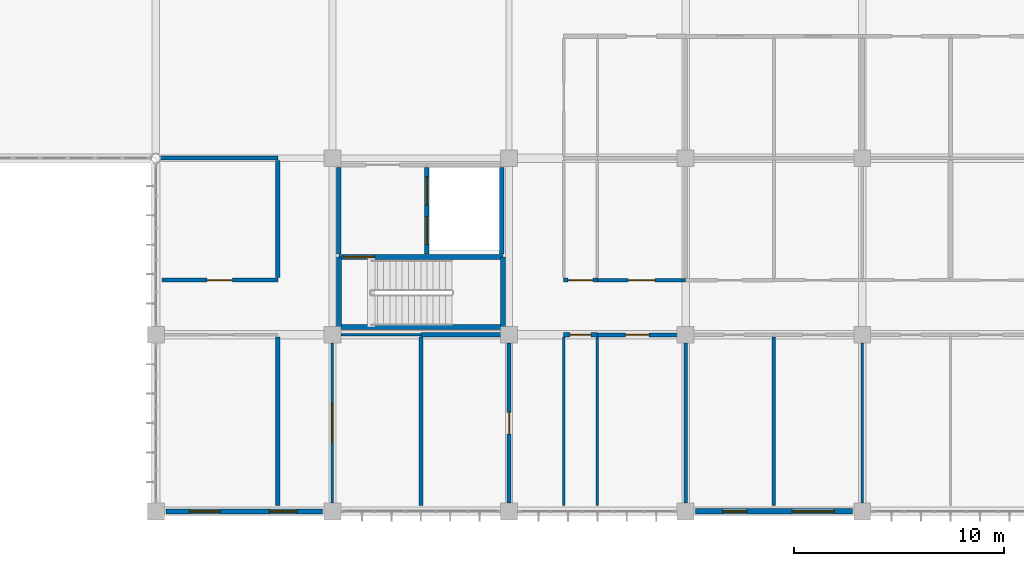
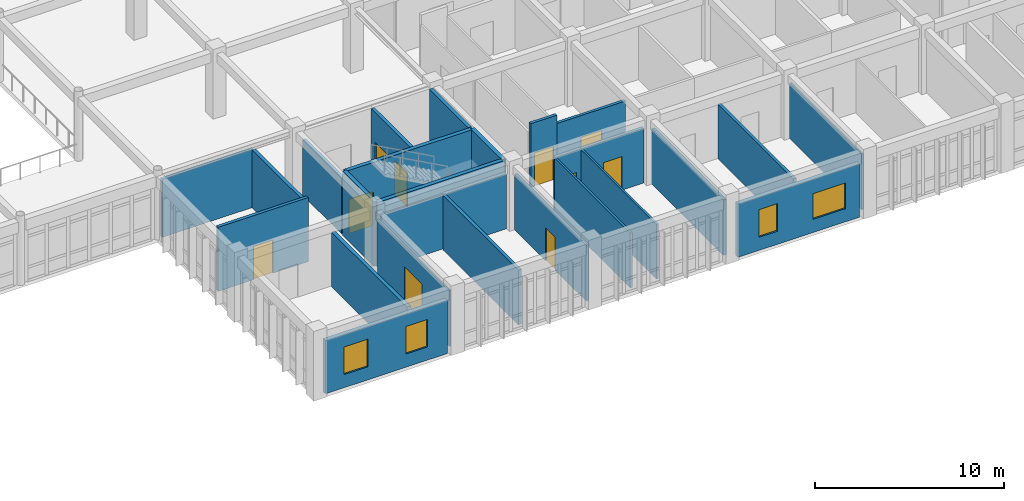
# One storey, part 103 of 144: 27 walls, 10 doors, 4 windows, 14 openings.
"""IFC4 building model written with IfcOpenShell, lengths in metres."""

from ifc_helpers import new_model, si_unit, direction, frame, frame_2d, origin, place, context, subcontext, project, spatial, rectangle, extrude, material, layer, layer_set, type_object, element, fill, save


model = new_model("IFC4")

# Units and contexts
model_context = context("Model", 3, precision=1e-05, world=origin(), true_north=direction((0.0, 1.0)))
body_context = subcontext(model_context, "Body", "Model", "MODEL_VIEW")
ifc_project = project(units=[si_unit("LENGTHUNIT", "METRE"), si_unit("AREAUNIT", "SQUARE_METRE"), si_unit("VOLUMEUNIT", "CUBIC_METRE"), si_unit("PLANEANGLEUNIT", "RADIAN"), si_unit("MASSUNIT", "GRAM", prefix="KILO")], contexts=[model_context])

# Site, building, storey
site_placement = place(None, origin())
site = spatial("IfcSite", under=ifc_project, at=site_placement, CompositionType="ELEMENT")
building_placement = place(site_placement, origin())
building = spatial("IfcBuilding", under=site, at=building_placement, Name="Bramfleet General Hospital", CompositionType="ELEMENT")
storey_placement = place(building_placement, frame((0.0, 0.0, 4.800048828125)))
storey = spatial("IfcBuildingStorey", under=building, at=storey_placement, Name="L01", CompositionType="ELEMENT", Elevation=4.800048828125)

# Wall, openings, windows
ifc_material_1 = material(Name="Precast concrete C40/50", Category="concrete")
ifc_layer_1 = layer(ifc_material_1, 0.264892578125, Name="WT-EW-07")
ifc_layer_set_1 = layer_set([ifc_layer_1], Name="Precast concrete C40/50")
wall_type_1 = type_object("IfcWallType", Name="WT-EW-07", PredefinedType="SOLIDWALL", material=ifc_layer_set_1)
wall_1_placement = place(storey_placement, frame((125.52490234375, 0.0, 0.0), z_axis=(0.0, 0.0, 1.0), x_axis=(-1.0, 0.0, 0.0)))
wall_1 = element("IfcWall", 1, at=wall_1_placement, inside=storey, type_object=wall_type_1, Name="L01 Exterior Wall 187", PredefinedType="SOLIDWALL", context=body_context, shape_type="SweptSolid", body=[
    extrude(rectangle(XDim=7.449951171875, YDim=0.264892578125, at=frame_2d((3.72509765625, 0.0))), origin(), (0.0, 0.0, 1.0), 3.43994140625),
])
opening_1_placement = place(wall_1_placement, frame((0.862548828125, 0.0, 0.85009765625)))
opening_1 = element("IfcOpeningElement", 2, at=opening_1_placement, cuts=wall_1, Name="Opening W-40", PredefinedType="OPENING", context=body_context, shape_type="SweptSolid", body=[
    extrude(rectangle(XDim=2.0, YDim=1.659912109375, at=frame_2d((1.0, 0.830078125))), frame((0.0, 0.142333984375, 0.0), z_axis=(0.0, -1.0, 0.0), x_axis=(1.0, 0.0, 0.0)), (0.0, 0.0, 1.0), 0.284912109375),
])
opening_2_placement = place(wall_1_placement, frame((5.012451171875, 0.0, 0.85009765625)))
opening_2 = element("IfcOpeningElement", 3, at=opening_2_placement, cuts=wall_1, Name="Opening W-41", PredefinedType="OPENING", context=body_context, shape_type="SweptSolid", body=[
    extrude(rectangle(XDim=1.14990234375, YDim=1.780029296875, at=frame_2d((0.574951171875, 0.89013671875))), frame((0.0, 0.142333984375, 0.0), z_axis=(0.0, -1.0, 0.0), x_axis=(1.0, 0.0, 0.0)), (0.0, 0.0, 1.0), 0.284912109375),
])
ifc_material_2 = material(Name="Anodised aluminium and low-E triple glazing", Category="aluminium")
window_type_1 = type_object("IfcWindowType", Name="WIN-W-40", PartitioningType="SINGLE_PANEL", PredefinedType="WINDOW", material=ifc_material_2)
window_1_placement = place(opening_1_placement, origin())
window_1 = element("IfcWindow", 4, at=window_1_placement, inside=storey, type_object=window_type_1, Name="L01 Facade Window WIN-L01-187-1", OverallHeight=1.659912109375, OverallWidth=2.0, PartitioningType="SINGLE_PANEL", PredefinedType="WINDOW", context=body_context, shape_type="SweptSolid", body=[
    extrude(rectangle(XDim=2.0, YDim=1.659912109375, at=frame_2d((1.0, 0.830078125))), frame((0.0, 0.030029296875, 0.0), z_axis=(0.0, -1.0, 0.0), x_axis=(1.0, 0.0, 0.0)), (0.0, 0.0, 1.0), 0.06005859375),
])
fill(opening_1, window_1)
window_type_2 = type_object("IfcWindowType", Name="WIN-W-41", PartitioningType="SINGLE_PANEL", PredefinedType="WINDOW", material=ifc_material_2)
window_2_placement = place(opening_2_placement, origin())
window_2 = element("IfcWindow", 5, at=window_2_placement, inside=storey, type_object=window_type_2, Name="L01 Facade Window WIN-L01-187-2", OverallHeight=1.780029296875, OverallWidth=1.14990234375, PartitioningType="SINGLE_PANEL", PredefinedType="WINDOW", context=body_context, shape_type="SweptSolid", body=[
    extrude(rectangle(XDim=1.14990234375, YDim=1.780029296875, at=frame_2d((0.574951171875, 0.89013671875))), frame((0.0, 0.030029296875, 0.0), z_axis=(0.0, -1.0, 0.0), x_axis=(1.0, 0.0, 0.0)), (0.0, 0.0, 1.0), 0.06005859375),
])
fill(opening_2, window_2)

ifc_layer_2 = layer(ifc_material_1, 0.25, Name="WT-EW-08")
ifc_layer_set_2 = layer_set([ifc_layer_2], Name="Precast concrete C40/50")
wall_type_2 = type_object("IfcWallType", Name="WT-EW-08", PredefinedType="SOLIDWALL", material=ifc_layer_set_2)
wall_2_placement = place(storey_placement, frame((100.324951171875, 0.0, 0.0), z_axis=(0.0, 0.0, 1.0), x_axis=(-1.0, 0.0, 0.0)))
wall_2 = element("IfcWall", 6, at=wall_2_placement, inside=storey, type_object=wall_type_2, Name="L01 Exterior Wall 188", PredefinedType="SOLIDWALL", context=body_context, shape_type="SweptSolid", body=[
    extrude(rectangle(XDim=7.449951171875, YDim=0.25, at=frame_2d((3.72509765625, 0.0))), origin(), (0.0, 0.0, 1.0), 3.43994140625),
])
opening_3_placement = place(wall_2_placement, frame((1.21240234375, 0.0, 0.85009765625)))
opening_3 = element("IfcOpeningElement", 7, at=opening_3_placement, cuts=wall_2, Name="Opening W-42", PredefinedType="OPENING", context=body_context, shape_type="SweptSolid", body=[
    extrude(rectangle(XDim=1.300048828125, YDim=1.780029296875, at=frame_2d((0.64990234375, 0.89013671875))), frame((0.0, 0.135009765625, 0.0), z_axis=(0.0, -1.0, 0.0), x_axis=(1.0, 0.0, 0.0)), (0.0, 0.0, 1.0), 0.27001953125),
])
opening_4_placement = place(wall_2_placement, frame((4.862548828125, 0.0, 0.85009765625)))
opening_4 = element("IfcOpeningElement", 8, at=opening_4_placement, cuts=wall_2, Name="Opening W-43", PredefinedType="OPENING", context=body_context, shape_type="SweptSolid", body=[
    extrude(rectangle(XDim=1.449951171875, YDim=1.780029296875, at=frame_2d((0.72509765625, 0.89013671875))), frame((0.0, 0.135009765625, 0.0), z_axis=(0.0, -1.0, 0.0), x_axis=(1.0, 0.0, 0.0)), (0.0, 0.0, 1.0), 0.27001953125),
])
window_type_3 = type_object("IfcWindowType", Name="WIN-W-42", PartitioningType="SINGLE_PANEL", PredefinedType="WINDOW", material=ifc_material_2)
window_3_placement = place(opening_3_placement, origin())
window_3 = element("IfcWindow", 9, at=window_3_placement, inside=storey, type_object=window_type_3, Name="L01 Facade Window WIN-L01-188-1", OverallHeight=1.780029296875, OverallWidth=1.300048828125, PartitioningType="SINGLE_PANEL", PredefinedType="WINDOW", context=body_context, shape_type="SweptSolid", body=[
    extrude(rectangle(XDim=1.300048828125, YDim=1.780029296875, at=frame_2d((0.64990234375, 0.89013671875))), frame((0.0, 0.030029296875, 0.0), z_axis=(0.0, -1.0, 0.0), x_axis=(1.0, 0.0, 0.0)), (0.0, 0.0, 1.0), 0.06005859375),
])
fill(opening_3, window_3)
window_type_4 = type_object("IfcWindowType", Name="WIN-W-43", PartitioningType="SINGLE_PANEL", PredefinedType="WINDOW", material=ifc_material_2)
window_4_placement = place(opening_4_placement, origin())
window_4 = element("IfcWindow", 10, at=window_4_placement, inside=storey, type_object=window_type_4, Name="L01 Facade Window WIN-L01-188-2", OverallHeight=1.780029296875, OverallWidth=1.449951171875, PartitioningType="SINGLE_PANEL", PredefinedType="WINDOW", context=body_context, shape_type="SweptSolid", body=[
    extrude(rectangle(XDim=1.449951171875, YDim=1.780029296875, at=frame_2d((0.72509765625, 0.89013671875))), frame((0.0, 0.030029296875, 0.0), z_axis=(0.0, -1.0, 0.0), x_axis=(1.0, 0.0, 0.0)), (0.0, 0.0, 1.0), 0.06005859375),
])
fill(opening_4, window_4)

# Walls
ifc_material_3 = material(Name="Concrete C35/45", Category="concrete")
ifc_layer_3 = layer(ifc_material_3, 0.219970703125, Name="WT-IW-01")
ifc_layer_set_3 = layer_set([ifc_layer_3], Name="Concrete C35/45")
wall_type_3 = type_object("IfcWallType", Name="WT-IW-01", PredefinedType="PARTITIONING", material=ifc_layer_set_3)
wall_3_placement = place(storey_placement, frame((105.0, 8.39990234375, 0.0), z_axis=(0.0, 0.0, 1.0), x_axis=(1.0, 0.0, 0.0)))
element("IfcWall", 11, at=wall_3_placement, inside=storey, type_object=wall_type_3, Name="L01 Interior Partition IW-L01-1213", PredefinedType="PARTITIONING", context=body_context, shape_type="SweptSolid", body=[
    extrude(rectangle(XDim=3.804931640625, YDim=0.219970703125, at=frame_2d((1.90234375, 0.0))), origin(), (0.0, 0.0, 1.0), 3.5400390625),
])
wall_4_placement = place(storey_placement, frame((98.199951171875, 0.280029296875, 0.0), z_axis=(0.0, 0.0, 1.0), x_axis=(0.0, 1.0, 0.0)))
element("IfcWall", 12, at=wall_4_placement, inside=storey, type_object=wall_type_3, Name="L01 Interior Partition IW-L01-1801", PredefinedType="PARTITIONING", context=body_context, shape_type="SweptSolid", body=[
    extrude(rectangle(XDim=8.0048828125, YDim=0.219970703125, at=frame_2d((4.00244140625, 0.0))), origin(), (0.0, 0.0, 1.0), 3.5400390625),
])

# Wall, openings, doors
ifc_layer_4 = layer(ifc_material_3, 0.205078125, Name="WT-IW-02")
ifc_layer_set_4 = layer_set([ifc_layer_4], Name="Concrete C35/45")
wall_type_4 = type_object("IfcWallType", Name="WT-IW-02", PredefinedType="PARTITIONING", material=ifc_layer_set_4)
wall_5_placement = place(storey_placement, frame((105.280029296875, 12.239990234375, 0.0), z_axis=(0.0, 0.0, 1.0), x_axis=(0.0, 1.0, 0.0)))
wall_5 = element("IfcWall", 13, at=wall_5_placement, inside=storey, type_object=wall_type_4, Name="L01 C3 Lobby East Shaft Wall", PredefinedType="PARTITIONING", context=body_context, shape_type="SweptSolid", body=[
    extrude(rectangle(XDim=4.1201171875, YDim=0.205078125, at=frame_2d((2.06005859375, 0.0))), origin(), (0.0, 0.0, 1.0), 4.139892578125),
])
opening_5_placement = place(wall_5_placement, frame((0.445068359375, 0.0, 0.0)))
opening_5 = element("IfcOpeningElement", 14, at=opening_5_placement, cuts=wall_5, Name="Opening LD-FL-01-L01", PredefinedType="OPENING", context=body_context, shape_type="SweptSolid", body=[
    extrude(rectangle(XDim=1.35009765625, YDim=2.199951171875, at=frame_2d((0.675048828125, 1.10009765625))), frame((0.0, 0.112548828125, 0.0), z_axis=(0.0, -1.0, 0.0), x_axis=(1.0, 0.0, 0.0)), (0.0, 0.0, 1.0), 0.22509765625),
])
opening_6_placement = place(wall_5_placement, frame((2.324951171875, 0.0, 0.0)))
opening_6 = element("IfcOpeningElement", 15, at=opening_6_placement, cuts=wall_5, Name="Opening LD-BL-03-L01", PredefinedType="OPENING", context=body_context, shape_type="SweptSolid", body=[
    extrude(rectangle(XDim=1.35009765625, YDim=2.199951171875, at=frame_2d((0.675048828125, 1.10009765625))), frame((0.0, 0.112548828125, 0.0), z_axis=(0.0, -1.0, 0.0), x_axis=(1.0, 0.0, 0.0)), (0.0, 0.0, 1.0), 0.22509765625),
])
ifc_material_4 = material(Name="Brushed stainless steel 1.4301", Category="steel")
door_type_1 = type_object("IfcDoorType", Name="DR-LD-01", OperationType="NOTDEFINED", PredefinedType="DOOR", material=ifc_material_4)
door_1_placement = place(opening_5_placement, origin())
door_1 = element("IfcDoor", 16, at=door_1_placement, inside=storey, type_object=door_type_1, Name="L01 Lift FL-01 Sliding Landing Door", OperationType="SLIDING_TO_LEFT", OverallHeight=2.199951171875, OverallWidth=1.35009765625, PredefinedType="DOOR", context=body_context, shape_type="SweptSolid", body=[
    extrude(rectangle(XDim=1.35009765625, YDim=2.199951171875, at=frame_2d((0.675048828125, 1.10009765625))), frame((0.0, 0.02490234375, 0.0), z_axis=(0.0, -1.0, 0.0), x_axis=(1.0, 0.0, 0.0)), (0.0, 0.0, 1.0), 0.050048828125),
])
fill(opening_5, door_1)
door_2_placement = place(opening_6_placement, origin())
door_2 = element("IfcDoor", 17, at=door_2_placement, inside=storey, type_object=door_type_1, Name="L01 Lift BL-03 Sliding Landing Door", OperationType="SLIDING_TO_LEFT", OverallHeight=2.199951171875, OverallWidth=1.35009765625, PredefinedType="DOOR", context=body_context, shape_type="SweptSolid", body=[
    extrude(rectangle(XDim=1.35009765625, YDim=2.199951171875, at=frame_2d((0.675048828125, 1.10009765625))), frame((0.0, 0.02490234375, 0.0), z_axis=(0.0, -1.0, 0.0), x_axis=(1.0, 0.0, 0.0)), (0.0, 0.0, 1.0), 0.050048828125),
])
fill(opening_6, door_2)

# Walls
wall_6_placement = place(storey_placement, frame((108.85009765625, 12.239990234375, 0.0), z_axis=(0.0, 0.0, 1.0), x_axis=(0.0, 1.0, 0.0)))
element("IfcWall", 18, at=wall_6_placement, inside=storey, type_object=wall_type_4, Name="L01 C3 Lift Shaft East Wall", PredefinedType="PARTITIONING", context=body_context, shape_type="SweptSolid", body=[
    extrude(rectangle(XDim=4.1201171875, YDim=0.205078125, at=frame_2d((2.06005859375, 0.0))), origin(), (0.0, 0.0, 1.0), 4.139892578125),
])
wall_7_placement = place(storey_placement, frame((101.10009765625, 12.239990234375, 0.0), z_axis=(0.0, 0.0, 1.0), x_axis=(0.0, 1.0, 0.0)))
element("IfcWall", 19, at=wall_7_placement, inside=storey, type_object=wall_type_4, Name="L01 C3 Lobby West Compartment Wall", PredefinedType="PARTITIONING", context=body_context, shape_type="SweptSolid", body=[
    extrude(rectangle(XDim=4.1201171875, YDim=0.205078125, at=frame_2d((2.06005859375, 0.0))), origin(), (0.0, 0.0, 1.0), 3.58984375),
])

# Wall, opening, door
wall_8_placement = place(storey_placement, frame((111.800048828125, 8.39990234375, 0.0), z_axis=(0.0, 0.0, 1.0), x_axis=(1.0, 0.0, 0.0)))
wall_8 = element("IfcWall", 20, at=wall_8_placement, inside=storey, type_object=wall_type_4, Name="L01 Interior Partition IW-L01-1214", PredefinedType="PARTITIONING", context=body_context, shape_type="SweptSolid", body=[
    extrude(rectangle(XDim=1.599853515625, YDim=0.205078125, at=frame_2d((0.7998046875, 0.0))), origin(), (0.0, 0.0, 1.0), 3.5400390625),
])
opening_7_placement = place(wall_8_placement, frame((0.31005859375, 0.0, 0.0)))
opening_7 = element("IfcOpeningElement", 21, at=opening_7_placement, cuts=wall_8, Name="Opening D0762", PredefinedType="OPENING", context=body_context, shape_type="SweptSolid", body=[
    extrude(rectangle(XDim=0.97998046875, YDim=2.1201171875, at=frame_2d((0.489990234375, 1.06005859375))), frame((0.0, 0.112548828125, 0.0), z_axis=(0.0, -1.0, 0.0), x_axis=(1.0, 0.0, 0.0)), (0.0, 0.0, 1.0), 0.22509765625),
])
ifc_material_5 = material(Name="Stainless steel and acoustic timber leaf", Category="steel")
door_type_2 = type_object("IfcDoorType", Name="DR-D-26", OperationType="NOTDEFINED", PredefinedType="DOOR", material=ifc_material_5)
door_3_placement = place(opening_7_placement, origin())
door_3 = element("IfcDoor", 22, at=door_3_placement, inside=storey, type_object=door_type_2, Name="Outpatient Specialist Clinic L01-1300A Door D0762", OperationType="SINGLE_SWING_LEFT", OverallHeight=2.1201171875, OverallWidth=0.97998046875, PredefinedType="DOOR", context=body_context, shape_type="SweptSolid", body=[
    extrude(rectangle(XDim=0.97998046875, YDim=2.1201171875, at=frame_2d((0.489990234375, 1.06005859375))), frame((0.0, 0.02490234375, 0.0), z_axis=(0.0, -1.0, 0.0), x_axis=(1.0, 0.0, 0.0)), (0.0, 0.0, 1.0), 0.050048828125),
])
fill(opening_7, door_3)

# Wall
wall_9_placement = place(storey_placement, frame((98.199951171875, 11.114990234375, 0.0), z_axis=(0.0, 0.0, 1.0), x_axis=(0.0, 1.0, 0.0)))
element("IfcWall", 23, at=wall_9_placement, inside=storey, type_object=wall_type_4, Name="L01 Interior Partition IW-L01-1802", PredefinedType="PARTITIONING", context=body_context, shape_type="SweptSolid", body=[
    extrude(rectangle(XDim=5.570068359375, YDim=0.205078125, at=frame_2d((2.78515625, 0.0))), origin(), (0.0, 0.0, 1.0), 3.75),
])

# Wall, opening, door
ifc_layer_5 = layer(ifc_material_3, 0.18994140625, Name="WT-IW-03")
ifc_layer_set_5 = layer_set([ifc_layer_5], Name="Concrete C35/45")
wall_type_5 = type_object("IfcWallType", Name="WT-IW-03", PredefinedType="PARTITIONING", material=ifc_layer_set_5)
wall_10_placement = place(storey_placement, frame((113.39990234375, 8.39990234375, 0.0), z_axis=(0.0, 0.0, 1.0), x_axis=(1.0, 0.0, 0.0)))
wall_10 = element("IfcWall", 24, at=wall_10_placement, inside=storey, type_object=wall_type_5, Name="L01 Interior Partition IW-L01-1215", PredefinedType="PARTITIONING", context=body_context, shape_type="SweptSolid", body=[
    extrude(rectangle(XDim=3.80517578125, YDim=0.18994140625, at=frame_2d((1.902587890625, 0.0))), origin(), (0.0, 0.0, 1.0), 3.5400390625),
])
opening_8_placement = place(wall_10_placement, frame((1.342529296875, 0.0, 0.0)))
opening_8 = element("IfcOpeningElement", 25, at=opening_8_placement, cuts=wall_10, Name="Opening D0763", PredefinedType="OPENING", context=body_context, shape_type="SweptSolid", body=[
    extrude(rectangle(XDim=1.1201171875, YDim=2.179931640625, at=frame_2d((0.56005859375, 1.08984375))), frame((0.0, 0.10498046875, 0.0), z_axis=(0.0, -1.0, 0.0), x_axis=(1.0, 0.0, 0.0)), (0.0, 0.0, 1.0), 0.2099609375),
])
door_type_3 = type_object("IfcDoorType", Name="DR-D-27", OperationType="NOTDEFINED", PredefinedType="DOOR", material=ifc_material_5)
door_4_placement = place(opening_8_placement, origin())
door_4 = element("IfcDoor", 26, at=door_4_placement, inside=storey, type_object=door_type_3, Name="Outpatient Consultation Room L01-1300B Door D0763", OperationType="SINGLE_SWING_RIGHT", OverallHeight=2.179931640625, OverallWidth=1.1201171875, PredefinedType="DOOR", context=body_context, shape_type="SweptSolid", body=[
    extrude(rectangle(XDim=1.1201171875, YDim=2.179931640625, at=frame_2d((0.56005859375, 1.08984375))), frame((0.0, 0.02490234375, 0.0), z_axis=(0.0, -1.0, 0.0), x_axis=(1.0, 0.0, 0.0)), (0.0, 0.0, 1.0), 0.050048828125),
])
fill(opening_8, door_4)

wall_11_placement = place(storey_placement, frame((92.679931640625, 11.0, 0.0), z_axis=(0.0, 0.0, 1.0), x_axis=(1.0, 0.0, 0.0)))
wall_11 = element("IfcWall", 27, at=wall_11_placement, inside=storey, type_object=wall_type_5, Name="L01 Interior Partition IW-L01-1239", PredefinedType="PARTITIONING", context=body_context, shape_type="SweptSolid", body=[
    extrude(rectangle(XDim=5.52001953125, YDim=0.18994140625, at=frame_2d((2.760009765625, 0.0))), origin(), (0.0, 0.0, 1.0), 4.139892578125),
])
opening_9_placement = place(wall_11_placement, frame((2.159912109375, 0.0, 0.0)))
opening_9 = element("IfcOpeningElement", 28, at=opening_9_placement, cuts=wall_11, Name="Opening D0749", PredefinedType="OPENING", context=body_context, shape_type="SweptSolid", body=[
    extrude(rectangle(XDim=1.199951171875, YDim=2.14990234375, at=frame_2d((0.60009765625, 1.074951171875))), frame((0.0, 0.10498046875, 0.0), z_axis=(0.0, -1.0, 0.0), x_axis=(1.0, 0.0, 0.0)), (0.0, 0.0, 1.0), 0.2099609375),
])
door_type_4 = type_object("IfcDoorType", Name="DR-D-13", OperationType="NOTDEFINED", PredefinedType="DOOR", material=ifc_material_5)
door_5_placement = place(opening_9_placement, origin())
door_5 = element("IfcDoor", 29, at=door_5_placement, inside=storey, type_object=door_type_4, Name="Pathology and Clinical Laboratory L01-1101A Door D0749", OperationType="SINGLE_SWING_RIGHT", OverallHeight=2.14990234375, OverallWidth=1.199951171875, PredefinedType="DOOR", context=body_context, shape_type="SweptSolid", body=[
    extrude(rectangle(XDim=1.199951171875, YDim=2.14990234375, at=frame_2d((0.60009765625, 1.074951171875))), frame((0.0, 0.02490234375, 0.0), z_axis=(0.0, -1.0, 0.0), x_axis=(1.0, 0.0, 0.0)), (0.0, 0.0, 1.0), 0.050048828125),
])
fill(opening_9, door_5)

# Walls
wall_12_placement = place(storey_placement, frame((92.62353515625, 16.800048828125, 0.0), z_axis=(0.0, 0.0, 1.0), x_axis=(1.0, 0.0, 0.0)))
element("IfcWall", 30, at=wall_12_placement, inside=storey, type_object=wall_type_5, Name="L01 Interior Partition IW-L01-1263", PredefinedType="PARTITIONING", context=body_context, shape_type="SweptSolid", body=[
    extrude(rectangle(XDim=5.576416015625, YDim=0.18994140625, at=frame_2d((2.7880859375, 0.0))), origin(), (0.0, 0.0, 1.0), 3.75),
])
wall_13_placement = place(storey_placement, frame((105.0, 0.280029296875, 0.0), z_axis=(0.0, 0.0, 1.0), x_axis=(0.0, 1.0, 0.0)))
element("IfcWall", 31, at=wall_13_placement, inside=storey, type_object=wall_type_5, Name="L01 Interior Partition IW-L01-1815", PredefinedType="PARTITIONING", context=body_context, shape_type="SweptSolid", body=[
    extrude(rectangle(XDim=8.0048828125, YDim=0.18994140625, at=frame_2d((4.00244140625, 0.0))), origin(), (0.0, 0.0, 1.0), 3.5400390625),
])

# Wall, opening, door
ifc_layer_6 = layer(ifc_material_3, 0.179931640625, Name="WT-IW-04")
ifc_layer_set_6 = layer_set([ifc_layer_6], Name="Concrete C35/45")
wall_type_6 = type_object("IfcWallType", Name="WT-IW-04", PredefinedType="PARTITIONING", material=ifc_layer_set_6)
wall_14_placement = place(storey_placement, frame((111.800048828125, 11.0, 0.0), z_axis=(0.0, 0.0, 1.0), x_axis=(1.0, 0.0, 0.0)))
wall_14 = element("IfcWall", 32, at=wall_14_placement, inside=storey, type_object=wall_type_6, Name="L01 Interior Partition IW-L01-1240", PredefinedType="PARTITIONING", context=body_context, shape_type="SweptSolid", body=[
    extrude(rectangle(XDim=1.599853515625, YDim=0.179931640625, at=frame_2d((0.7998046875, 0.0))), origin(), (0.0, 0.0, 1.0), 4.139892578125),
])
opening_10_placement = place(wall_14_placement, frame((0.2099609375, 0.0, 0.0)))
opening_10 = element("IfcOpeningElement", 33, at=opening_10_placement, cuts=wall_14, Name="Opening D0764", PredefinedType="OPENING", context=body_context, shape_type="SweptSolid", body=[
    extrude(rectangle(XDim=1.179931640625, YDim=2.179931640625, at=frame_2d((0.58984375, 1.08984375))), frame((0.0, 0.099853515625, 0.0), z_axis=(0.0, -1.0, 0.0), x_axis=(1.0, 0.0, 0.0)), (0.0, 0.0, 1.0), 0.199951171875),
])
door_type_5 = type_object("IfcDoorType", Name="DR-D-28", OperationType="NOTDEFINED", PredefinedType="DOOR", material=ifc_material_5)
door_6_placement = place(opening_10_placement, origin())
door_6 = element("IfcDoor", 34, at=door_6_placement, inside=storey, type_object=door_type_5, Name="Outpatient Specialist Clinic L01-1301A Door D0764", OperationType="SINGLE_SWING_LEFT", OverallHeight=2.179931640625, OverallWidth=1.179931640625, PredefinedType="DOOR", context=body_context, shape_type="SweptSolid", body=[
    extrude(rectangle(XDim=1.179931640625, YDim=2.179931640625, at=frame_2d((0.58984375, 1.08984375))), frame((0.0, 0.02490234375, 0.0), z_axis=(0.0, -1.0, 0.0), x_axis=(1.0, 0.0, 0.0)), (0.0, 0.0, 1.0), 0.050048828125),
])
fill(opening_10, door_6)

wall_15_placement = place(storey_placement, frame((109.199951171875, 0.39501953125, 0.0), z_axis=(0.0, 0.0, 1.0), x_axis=(0.0, 1.0, 0.0)))
wall_15 = element("IfcWall", 35, at=wall_15_placement, inside=storey, type_object=wall_type_6, Name="L01 Interior Partition IW-L01-1816", PredefinedType="PARTITIONING", context=body_context, shape_type="SweptSolid", body=[
    extrude(rectangle(XDim=7.60986328125, YDim=0.179931640625, at=frame_2d((3.804931640625, 0.0))), origin(), (0.0, 0.0, 1.0), 3.58984375),
])
opening_11_placement = place(wall_15_placement, frame((3.294921875, 0.0, 0.0)))
opening_11 = element("IfcOpeningElement", 36, at=opening_11_placement, cuts=wall_15, Name="Opening D0757", PredefinedType="OPENING", context=body_context, shape_type="SweptSolid", body=[
    extrude(rectangle(XDim=1.02001953125, YDim=2.1201171875, at=frame_2d((0.510009765625, 1.06005859375))), frame((0.0, 0.099853515625, 0.0), z_axis=(0.0, -1.0, 0.0), x_axis=(1.0, 0.0, 0.0)), (0.0, 0.0, 1.0), 0.199951171875),
])
door_type_6 = type_object("IfcDoorType", Name="DR-D-21", OperationType="NOTDEFINED", PredefinedType="DOOR", material=ifc_material_5)
door_7_placement = place(opening_11_placement, origin())
door_7 = element("IfcDoor", 37, at=door_7_placement, inside=storey, type_object=door_type_6, Name="Outpatient Consultation Room L01-1200B Door D0757", OperationType="SINGLE_SWING_RIGHT", OverallHeight=2.1201171875, OverallWidth=1.02001953125, PredefinedType="DOOR", context=body_context, shape_type="SweptSolid", body=[
    extrude(rectangle(XDim=1.02001953125, YDim=2.1201171875, at=frame_2d((0.510009765625, 1.06005859375))), frame((0.0, 0.02490234375, 0.0), z_axis=(0.0, -1.0, 0.0), x_axis=(1.0, 0.0, 0.0)), (0.0, 0.0, 1.0), 0.050048828125),
])
fill(opening_11, door_7)

# Wall
wall_16_placement = place(storey_placement, frame((117.60009765625, 0.39501953125, 0.0), z_axis=(0.0, 0.0, 1.0), x_axis=(0.0, 1.0, 0.0)))
element("IfcWall", 38, at=wall_16_placement, inside=storey, type_object=wall_type_6, Name="L01 Interior Partition IW-L01-1840", PredefinedType="PARTITIONING", context=body_context, shape_type="SweptSolid", body=[
    extrude(rectangle(XDim=7.60986328125, YDim=0.179931640625, at=frame_2d((3.804931640625, 0.0))), origin(), (0.0, 0.0, 1.0), 3.58984375),
])

# Wall, opening, door
ifc_material_6 = material(Name="Gypsum plasterboard on acoustic steel studs", Category="steel")
ifc_layer_7 = layer(ifc_material_6, 0.169921875, Name="WT-IW-05")
ifc_layer_set_7 = layer_set([ifc_layer_7], Name="Gypsum plasterboard on acoustic steel studs")
wall_type_7 = type_object("IfcWallType", Name="WT-IW-05", PredefinedType="PARTITIONING", material=ifc_layer_set_7)
wall_17_placement = place(storey_placement, frame((113.39990234375, 11.0, 0.0), z_axis=(0.0, 0.0, 1.0), x_axis=(1.0, 0.0, 0.0)))
wall_17 = element("IfcWall", 39, at=wall_17_placement, inside=storey, type_object=wall_type_7, Name="L01 Interior Partition IW-L01-1241", PredefinedType="PARTITIONING", context=body_context, shape_type="SweptSolid", body=[
    extrude(rectangle(XDim=4.2001953125, YDim=0.169921875, at=frame_2d((2.10009765625, 0.0))), origin(), (0.0, 0.0, 1.0), 3.58984375),
])
opening_12_placement = place(wall_17_placement, frame((1.4599609375, 0.0, 0.0)))
opening_12 = element("IfcOpeningElement", 40, at=opening_12_placement, cuts=wall_17, Name="Opening D0765", PredefinedType="OPENING", context=body_context, shape_type="SweptSolid", body=[
    extrude(rectangle(XDim=1.280029296875, YDim=2.179931640625, at=frame_2d((0.64013671875, 1.08984375))), frame((0.0, 0.094970703125, 0.0), z_axis=(0.0, -1.0, 0.0), x_axis=(1.0, 0.0, 0.0)), (0.0, 0.0, 1.0), 0.18994140625),
])
door_type_7 = type_object("IfcDoorType", Name="DR-D-29", OperationType="NOTDEFINED", PredefinedType="DOOR", material=ifc_material_5)
door_8_placement = place(opening_12_placement, origin())
door_8 = element("IfcDoor", 41, at=door_8_placement, inside=storey, type_object=door_type_7, Name="Outpatient Consultation Room L01-1301B Door D0765", OperationType="SINGLE_SWING_RIGHT", OverallHeight=2.179931640625, OverallWidth=1.280029296875, PredefinedType="DOOR", context=body_context, shape_type="SweptSolid", body=[
    extrude(rectangle(XDim=1.280029296875, YDim=2.179931640625, at=frame_2d((0.64013671875, 1.08984375))), frame((0.0, 0.02490234375, 0.0), z_axis=(0.0, -1.0, 0.0), x_axis=(1.0, 0.0, 0.0)), (0.0, 0.0, 1.0), 0.050048828125),
])
fill(opening_12, door_8)

# Walls
wall_18_placement = place(storey_placement, frame((121.800048828125, 0.280029296875, 0.0), z_axis=(0.0, 0.0, 1.0), x_axis=(0.0, 1.0, 0.0)))
element("IfcWall", 42, at=wall_18_placement, inside=storey, type_object=wall_type_7, Name="L01 Interior Partition IW-L01-1853", PredefinedType="PARTITIONING", context=body_context, shape_type="SweptSolid", body=[
    extrude(rectangle(XDim=8.0048828125, YDim=0.169921875, at=frame_2d((4.00244140625, 0.0))), origin(), (0.0, 0.0, 1.0), 3.5400390625),
])
ifc_layer_8 = layer(ifc_material_6, 0.1298828125, Name="WT-IW-09")
ifc_layer_set_8 = layer_set([ifc_layer_8], Name="Gypsum plasterboard on acoustic steel studs")
wall_type_8 = type_object("IfcWallType", Name="WT-IW-09", PredefinedType="PARTITIONING", material=ifc_layer_set_8)
wall_19_placement = place(storey_placement, frame((111.800048828125, 0.280029296875, 0.0), z_axis=(0.0, 0.0, 1.0), x_axis=(0.0, 1.0, 0.0)))
element("IfcWall", 43, at=wall_19_placement, inside=storey, type_object=wall_type_8, Name="L01 Interior Partition IW-L01-1821", PredefinedType="PARTITIONING", context=body_context, shape_type="SweptSolid", body=[
    extrude(rectangle(XDim=8.0048828125, YDim=0.1298828125, at=frame_2d((4.00244140625, 0.0))), origin(), (0.0, 0.0, 1.0), 3.5400390625),
])

# Wall, opening, door
ifc_layer_9 = layer(ifc_material_6, 0.1201171875, Name="WT-IW-10")
ifc_layer_set_9 = layer_set([ifc_layer_9], Name="Gypsum plasterboard on acoustic steel studs")
wall_type_9 = type_object("IfcWallType", Name="WT-IW-10", PredefinedType="PARTITIONING", material=ifc_layer_set_9)
wall_20_placement = place(storey_placement, frame((100.800048828125, 0.39501953125, 0.0), z_axis=(0.0, 0.0, 1.0), x_axis=(0.0, 1.0, 0.0)))
wall_20 = element("IfcWall", 44, at=wall_20_placement, inside=storey, type_object=wall_type_9, Name="L01 Interior Partition IW-L01-1810", PredefinedType="PARTITIONING", context=body_context, shape_type="SweptSolid", body=[
    extrude(rectangle(XDim=7.60986328125, YDim=0.1201171875, at=frame_2d((3.804931640625, 0.0))), origin(), (0.0, 0.0, 1.0), 3.58984375),
])
opening_13_placement = place(wall_20_placement, frame((2.885009765625, 0.0, 0.0)))
opening_13 = element("IfcOpeningElement", 45, at=opening_13_placement, cuts=wall_20, Name="Opening D0756", PredefinedType="OPENING", context=body_context, shape_type="SweptSolid", body=[
    extrude(rectangle(XDim=1.840087890625, YDim=2.280029296875, at=frame_2d((0.919921875, 1.14013671875))), frame((0.0, 0.070068359375, 0.0), z_axis=(0.0, -1.0, 0.0), x_axis=(1.0, 0.0, 0.0)), (0.0, 0.0, 1.0), 0.14013671875),
])
door_type_8 = type_object("IfcDoorType", Name="DR-D-20", OperationType="NOTDEFINED", PredefinedType="DOOR", material=ifc_material_5)
door_9_placement = place(opening_13_placement, origin())
door_9 = element("IfcDoor", 46, at=door_9_placement, inside=storey, type_object=door_type_8, Name="Outpatient Specialist Clinic L01-1200A Door D0756", OperationType="DOUBLE_SWING_LEFT", OverallHeight=2.280029296875, OverallWidth=1.840087890625, PredefinedType="DOOR", context=body_context, shape_type="SweptSolid", body=[
    extrude(rectangle(XDim=1.840087890625, YDim=2.280029296875, at=frame_2d((0.919921875, 1.14013671875))), frame((0.0, 0.02490234375, 0.0), z_axis=(0.0, -1.0, 0.0), x_axis=(1.0, 0.0, 0.0)), (0.0, 0.0, 1.0), 0.050048828125),
])
fill(opening_13, door_9)

# Walls
wall_21_placement = place(storey_placement, frame((113.39990234375, 0.280029296875, 0.0), z_axis=(0.0, 0.0, 1.0), x_axis=(0.0, 1.0, 0.0)))
element("IfcWall", 47, at=wall_21_placement, inside=storey, type_object=wall_type_9, Name="L01 Interior Partition IW-L01-1834", PredefinedType="PARTITIONING", context=body_context, shape_type="SweptSolid", body=[
    extrude(rectangle(XDim=8.0048828125, YDim=0.1201171875, at=frame_2d((4.00244140625, 0.0))), origin(), (0.0, 0.0, 1.0), 3.5400390625),
])
ifc_layer_10 = layer(ifc_material_6, 0.112060546875, Name="WT-IW-11")
ifc_layer_set_10 = layer_set([ifc_layer_10], Name="Gypsum plasterboard on acoustic steel studs")
wall_type_10 = type_object("IfcWallType", Name="WT-IW-11", PredefinedType="PARTITIONING", material=ifc_layer_set_10)
wall_22_placement = place(storey_placement, frame((126.0, 0.39501953125, 0.0), z_axis=(0.0, 0.0, 1.0), x_axis=(0.0, 1.0, 0.0)))
element("IfcWall", 48, at=wall_22_placement, inside=storey, type_object=wall_type_10, Name="L01 Interior Partition IW-L01-1859", PredefinedType="PARTITIONING", context=body_context, shape_type="SweptSolid", body=[
    extrude(rectangle(XDim=7.60986328125, YDim=0.112060546875, at=frame_2d((3.804931640625, 0.0))), origin(), (0.0, 0.0, 1.0), 3.58984375),
])
ifc_layer_11 = layer(ifc_material_6, 0.10009765625, Name="WT-IW-12")
ifc_layer_set_11 = layer_set([ifc_layer_11], Name="Gypsum plasterboard on acoustic steel studs")
wall_type_11 = type_object("IfcWallType", Name="WT-IW-12", PredefinedType="PARTITIONING", material=ifc_layer_set_11)
wall_23_placement = place(storey_placement, frame((101.195068359375, 8.39990234375, 0.0), z_axis=(0.0, 0.0, 1.0), x_axis=(1.0, 0.0, 0.0)))
element("IfcWall", 49, at=wall_23_placement, inside=storey, type_object=wall_type_11, Name="L01 Interior Partition IW-L01-1212", PredefinedType="PARTITIONING", context=body_context, shape_type="SweptSolid", body=[
    extrude(rectangle(XDim=3.804931640625, YDim=0.10009765625, at=frame_2d((1.90234375, 0.0))), origin(), (0.0, 0.0, 1.0), 3.5400390625),
])
ifc_material_7 = material(Name="Concrete C40/50", Category="concrete")
ifc_layer_12 = layer(ifc_material_7, 0.239990234375, Name="WT-SW-240")
ifc_layer_set_12 = layer_set([ifc_layer_12], Name="Concrete C40/50")
wall_type_12 = type_object("IfcWallType", Name="WT-SW-240", PredefinedType="SHEAR", material=ifc_layer_set_12)
wall_24_placement = place(storey_placement, frame((101.10009765625, 8.780029296875, 0.0), z_axis=(0.0, 0.0, 1.0), x_axis=(1.0, 0.0, 0.0)))
element("IfcWall", 50, at=wall_24_placement, inside=storey, type_object=wall_type_12, Name="L01 C3 South Stair Shear Wall", PredefinedType="SHEAR", context=body_context, shape_type="SweptSolid", body=[
    extrude(rectangle(XDim=7.81982421875, YDim=0.239990234375, at=frame_2d((3.909912109375, 0.0))), origin(), (0.0, 0.0, 1.0), 4.14990234375),
])
for number, where, z_axis, x_axis, name in (
    (51, (101.10009765625, 8.780029296875, 0.0), (0.0, 0.0, 1.0), (0.0, 1.0, 0.0), "L01 C3 West Stair Shear Wall"),
    (52, (108.919921875, 8.780029296875, 0.0), (0.0, 0.0, 1.0), (0.0, 1.0, 0.0), "L01 C3 East Stair Shear Wall"),
):
    element("IfcWall", number, at=place(storey_placement, frame(where, z_axis=z_axis, x_axis=x_axis)), inside=storey, type_object=wall_type_12, Name=name, PredefinedType="SHEAR", context=body_context, shape_type="SweptSolid", body=[
        extrude(rectangle(XDim=3.320068359375, YDim=0.239990234375, at=frame_2d((1.66015625, 0.0))), origin(), (0.0, 0.0, 1.0), 4.14990234375),
    ])

# Wall, opening, door
wall_25_placement = place(storey_placement, frame((101.10009765625, 12.10009765625, 0.0), z_axis=(0.0, 0.0, 1.0), x_axis=(1.0, 0.0, 0.0)))
wall_25 = element("IfcWall", 53, at=wall_25_placement, inside=storey, type_object=wall_type_12, Name="L01 C3 Stair-Lobby Shear Wall", PredefinedType="SHEAR", context=body_context, shape_type="SweptSolid", body=[
    extrude(rectangle(XDim=7.81982421875, YDim=0.239990234375, at=frame_2d((3.909912109375, 0.0))), origin(), (0.0, 0.0, 1.0), 4.14990234375),
])
opening_14_placement = place(wall_25_placement, frame((0.25, 0.0, 0.0)))
opening_14 = element("IfcOpeningElement", 54, at=opening_14_placement, cuts=wall_25, Name="Opening D0023", PredefinedType="OPENING", context=body_context, shape_type="SweptSolid", body=[
    extrude(rectangle(XDim=1.449951171875, YDim=2.199951171875, at=frame_2d((0.72509765625, 1.10009765625))), frame((0.0, 0.1298828125, 0.0), z_axis=(0.0, -1.0, 0.0), x_axis=(1.0, 0.0, 0.0)), (0.0, 0.0, 1.0), 0.260009765625),
])
door_type_9 = type_object("IfcDoorType", Name="DR-D-03", OperationType="NOTDEFINED", PredefinedType="DOOR", material=ifc_material_5)
door_10_placement = place(opening_14_placement, origin())
door_10 = element("IfcDoor", 55, at=door_10_placement, inside=storey, type_object=door_type_9, Name="L01 C3 Escape Stair Fire Door D0023", OperationType="SINGLE_SWING_RIGHT", OverallHeight=2.199951171875, OverallWidth=1.449951171875, PredefinedType="DOOR", context=body_context, shape_type="SweptSolid", body=[
    extrude(rectangle(XDim=1.449951171875, YDim=2.199951171875, at=frame_2d((0.72509765625, 1.10009765625))), frame((0.0, 0.02490234375, 0.0), z_axis=(0.0, -1.0, 0.0), x_axis=(1.0, 0.0, 0.0)), (0.0, 0.0, 1.0), 0.050048828125),
])
fill(opening_14, door_10)

save(model, "model.ifc")
